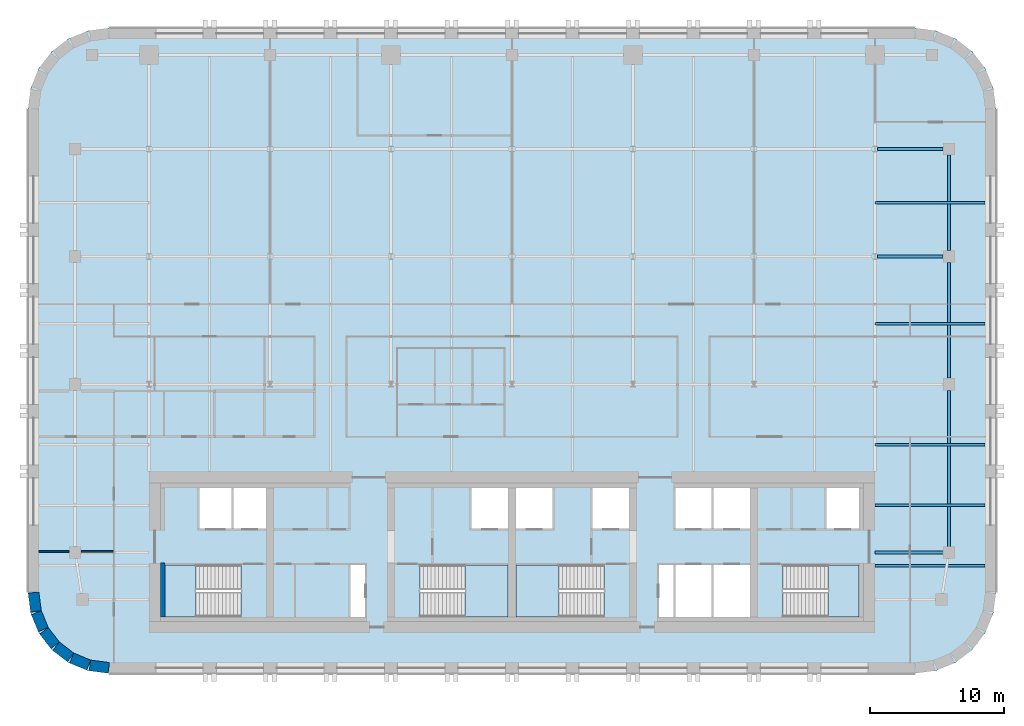
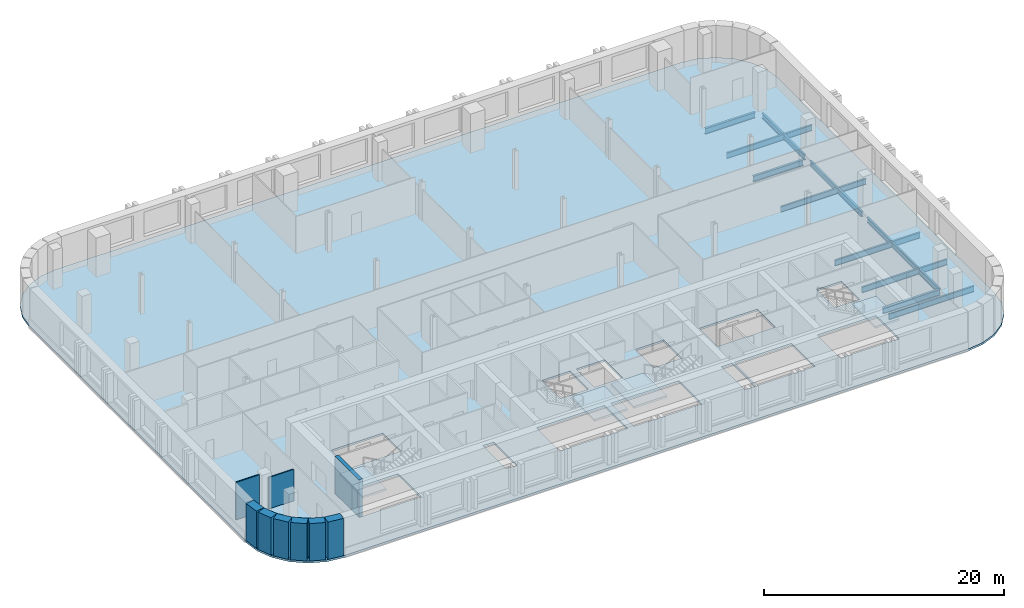
# One storey, part 2 of 10: 11 beams, 9 walls, 5 slabs, 4 elements without a shape of their own.
"""IFC4 building model written with IfcOpenShell, lengths in metres."""

from ifc_helpers import new_model, si_unit, direction, frame, frame_2d, origin, origin_2d, place, context, subcontext, project, spatial, polyline, rectangle, i_section, outline, extrude, material, layer, layer_set, material_profile, profile_set, type_object, element, aggregate, save


model = new_model("IFC4")

# Units and contexts
model_context = context("Model", 3, precision=1e-05, world=origin(), true_north=direction((0.0, 1.0)))
body_context = subcontext(model_context, "Body", "Model", "MODEL_VIEW")
ifc_project = project(units=[si_unit("LENGTHUNIT", "METRE"), si_unit("AREAUNIT", "SQUARE_METRE"), si_unit("VOLUMEUNIT", "CUBIC_METRE"), si_unit("PLANEANGLEUNIT", "RADIAN"), si_unit("MASSUNIT", "GRAM", prefix="KILO")], contexts=[model_context])

# Site, building, storey
site_placement = place(None, origin())
site = spatial("IfcSite", under=ifc_project, at=site_placement, CompositionType="ELEMENT")
building_placement = place(site_placement, origin())
building = spatial("IfcBuilding", under=site, at=building_placement, Name="Zellij Exchange Tower", CompositionType="ELEMENT")
storey_placement = place(building_placement, frame((0.0, 0.0, 192.5)))
storey = spatial("IfcBuildingStorey", under=building, at=storey_placement, Name="L44", CompositionType="ELEMENT", Elevation=192.5)

# Beams
ifc_material_1 = material(Name="Structural steel ASTM A992 Gr 50", Category="steel")
ifc_material_profile_1 = material_profile(ifc_material_1, i_section(OverallWidth=0.177978515625, OverallDepth=0.599365234375, WebThickness=0.010009765625, FlangeThickness=0.012939453125, at=origin_2d()), Name="W24x55")
ifc_profile_set_1 = profile_set([ifc_material_profile_1], Name="Structural steel ASTM A992 Gr 50")
beam_type_1 = type_object("IfcBeamType", Name="STR-BEAM W24x55", PredefinedType="BEAM", material=ifc_profile_set_1)
for number, where, z_axis, x_axis, name in (
    (1, (27.0, -9.0, -0.499755859375), (1.0, 0.0, 0.0), (0.0, 1.0, 0.0), "B4"),
    (2, (27.0, -4.5, -0.499755859375), (1.0, 0.0, 0.0), (0.0, 1.0, 0.0), "B4"),
    (3, (27.0, 0.0, -0.499755859375), (1.0, 0.0, 0.0), (0.0, 1.0, 0.0), "B4"),
    (4, (27.0, 9.0, -0.499755859375), (1.0, 0.0, 0.0), (0.0, 1.0, 0.0), "B4"),
    (5, (27.0, 18.0, -0.499755859375), (1.0, 0.0, 0.0), (0.0, 1.0, 0.0), "B4"),
):
    element("IfcBeam", number, at=place(storey_placement, frame(where, z_axis=z_axis, x_axis=x_axis)), inside=storey, type_object=beam_type_1, Name=name, PredefinedType="BEAM", context=body_context, shape_type="SweptSolid", body=[
        extrude(i_section(OverallWidth=0.177978515625, OverallDepth=0.599365234375, WebThickness=0.010009765625, FlangeThickness=0.012939453125, at=origin_2d()), origin(), (0.0, 0.0, 1.0), 8.199951171875),
    ])
ifc_material_profile_2 = material_profile(ifc_material_1, i_section(OverallWidth=0.209228515625, OverallDepth=0.533447265625, WebThickness=0.01025390625, FlangeThickness=0.015625, at=origin_2d()), Name="W21x62")
ifc_profile_set_2 = profile_set([ifc_material_profile_2], Name="Structural steel ASTM A992 Gr 50")
beam_type_2 = type_object("IfcBeamType", Name="STR-EDGE GIRDER W21x62", PredefinedType="BEAM", material=ifc_profile_set_2)
beam_1_placement = place(storey_placement, frame((32.5, -8.0, -0.466796875), z_axis=(0.0, 1.0, 0.0), x_axis=(-1.0, 0.0, 0.0)))
element("IfcBeam", 6, at=beam_1_placement, inside=storey, type_object=beam_type_2, Name="EB3", PredefinedType="BEAM", context=body_context, shape_type="SweptSolid", body=[
    extrude(i_section(OverallWidth=0.209228515625, OverallDepth=0.533447265625, WebThickness=0.01025390625, FlangeThickness=0.015625, at=origin_2d()), origin(), (0.0, 0.0, 1.0), 12.050048828125),
])
beam_2_placement = place(storey_placement, frame((32.5, 4.949951171875, -0.466796875), z_axis=(0.0, 1.0, 0.0), x_axis=(-1.0, 0.0, 0.0)))
element("IfcBeam", 7, at=beam_2_placement, inside=storey, type_object=beam_type_2, Name="EB3", PredefinedType="BEAM", context=body_context, shape_type="SweptSolid", body=[
    extrude(i_section(OverallWidth=0.209228515625, OverallDepth=0.533447265625, WebThickness=0.01025390625, FlangeThickness=0.015625, at=origin_2d()), origin(), (0.0, 0.0, 1.0), 8.60009765625),
])
beam_3_placement = place(storey_placement, frame((32.5, 14.449951171875, -0.466796875), z_axis=(0.0, 1.0, 0.0), x_axis=(-1.0, 0.0, 0.0)))
element("IfcBeam", 8, at=beam_3_placement, inside=storey, type_object=beam_type_2, Name="EB3", PredefinedType="BEAM", context=body_context, shape_type="SweptSolid", body=[
    extrude(i_section(OverallWidth=0.209228515625, OverallDepth=0.533447265625, WebThickness=0.01025390625, FlangeThickness=0.015625, at=origin_2d()), origin(), (0.0, 0.0, 1.0), 7.10009765625),
])
ifc_material_profile_3 = material_profile(ifc_material_1, i_section(OverallWidth=0.228271484375, OverallDepth=0.607177734375, WebThickness=0.01123046875, FlangeThickness=0.017333984375, at=origin_2d()), Name="W24x76")
ifc_profile_set_3 = profile_set([ifc_material_profile_3], Name="Structural steel ASTM A992 Gr 50")
beam_type_3 = type_object("IfcBeamType", Name="STR-GIRDER W24x76", PredefinedType="BEAM", material=ifc_profile_set_3)
beam_4_placement = place(storey_placement, frame((27.0, -8.0, -0.50341796875), z_axis=(1.0, 0.0, 0.0), x_axis=(0.0, 1.0, 0.0)))
element("IfcBeam", 9, at=beam_4_placement, inside=storey, type_object=beam_type_3, Name="G2", PredefinedType="BEAM", context=body_context, shape_type="SweptSolid", body=[
    extrude(i_section(OverallWidth=0.228271484375, OverallDepth=0.607177734375, WebThickness=0.01123046875, FlangeThickness=0.017333984375, at=origin_2d()), origin(), (0.0, 0.0, 1.0), 5.5),
])
for number, where, z_axis, x_axis, name in (
    (10, (27.20458984375, 14.0, -0.50341796875), (1.0, 0.0, 0.0), (0.0, 1.0, 0.0), "G2"),
    (11, (27.20458984375, 22.0, -0.50341796875), (1.0, 0.0, 0.0), (0.0, 1.0, 0.0), "G2"),
):
    element("IfcBeam", number, at=place(storey_placement, frame(where, z_axis=z_axis, x_axis=x_axis)), inside=storey, type_object=beam_type_3, Name=name, PredefinedType="BEAM", context=body_context, shape_type="SweptSolid", body=[
        extrude(i_section(OverallWidth=0.228271484375, OverallDepth=0.607177734375, WebThickness=0.01123046875, FlangeThickness=0.017333984375, at=origin_2d()), origin(), (0.0, 0.0, 1.0), 4.845458984375),
    ])

# Stair, slab
ifc_material_2 = material(Name="Concrete C40/50", Category="concrete")
stair_type = type_object("IfcStairType", Name="CORE-ST exit stair 1850 wide", PredefinedType="HALF_TURN_STAIR", material=ifc_material_2)
stair_1_placement = place(storey_placement, origin())
stair_1 = element("IfcStair", 12, at=stair_1_placement, inside=storey, type_object=stair_type, Name="L44 exit stair ST1", PredefinedType="HALF_TURN_STAIR")
ifc_layer_1 = layer(ifc_material_2, 0.199951171875)
ifc_layer_set_1 = layer_set([ifc_layer_1], Name="Concrete C40/50")
slab_type_1 = type_object("IfcSlabType", Name="CORE-SL stair landing 200", PredefinedType="LANDING", material=ifc_layer_set_1)
slab_1_placement = place(storey_placement, frame((0.0, 0.0, 1.800048828125)))
slab_1 = element("IfcSlab", 13, at=slab_1_placement, type_object=slab_type_1, Name="ST1 landing 1", PredefinedType="LANDING", context=body_context, shape_type="SweptSolid", body=[
    extrude(outline(polyline([(-23.510009765625, -8.949951171875), (-25.800048828125, -8.949951171875), (-25.800048828125, -12.800048828125), (-23.510009765625, -12.800048828125), (-23.510009765625, -8.949951171875)])), origin(), (0.0, 0.0, 1.0), 0.199951171875),
])
aggregate(stair_1, [slab_1])

stair_2_placement = place(storey_placement, origin())
stair_2 = element("IfcStair", 14, at=stair_2_placement, inside=storey, type_object=stair_type, Name="L44 exit stair ST2", PredefinedType="HALF_TURN_STAIR")
slab_2_placement = place(storey_placement, frame((0.0, 0.0, 1.800048828125)))
slab_2 = element("IfcSlab", 15, at=slab_2_placement, type_object=slab_type_1, Name="ST2 landing 1", PredefinedType="LANDING", context=body_context, shape_type="SweptSolid", body=[
    extrude(outline(polyline([(-3.489990234375, -12.800048828125), (-0.300048828125, -12.800048828125), (-0.300048828125, -8.949951171875), (-3.489990234375, -8.949951171875), (-3.489990234375, -12.800048828125)])), origin(), (0.0, 0.0, 1.0), 0.199951171875),
])
aggregate(stair_2, [slab_2])

stair_3_placement = place(storey_placement, origin())
stair_3 = element("IfcStair", 16, at=stair_3_placement, inside=storey, type_object=stair_type, Name="L44 exit stair ST3", PredefinedType="HALF_TURN_STAIR")
slab_3_placement = place(storey_placement, frame((0.0, 0.0, 1.800048828125)))
slab_3 = element("IfcSlab", 17, at=slab_3_placement, type_object=slab_type_1, Name="ST3 landing 1", PredefinedType="LANDING", context=body_context, shape_type="SweptSolid", body=[
    extrude(outline(polyline([(3.489990234375, -8.949951171875), (0.300048828125, -8.949951171875), (0.300048828125, -12.800048828125), (3.489990234375, -12.800048828125), (3.489990234375, -8.949951171875)])), origin(), (0.0, 0.0, 1.0), 0.199951171875),
])
aggregate(stair_3, [slab_3])

stair_4_placement = place(storey_placement, origin())
stair_4 = element("IfcStair", 18, at=stair_4_placement, inside=storey, type_object=stair_type, Name="L44 exit stair ST4", PredefinedType="HALF_TURN_STAIR")
slab_4_placement = place(storey_placement, frame((0.0, 0.0, 1.800048828125)))
slab_4 = element("IfcSlab", 19, at=slab_4_placement, type_object=slab_type_1, Name="ST4 landing 1", PredefinedType="LANDING", context=body_context, shape_type="SweptSolid", body=[
    extrude(outline(polyline([(23.510009765625, -12.800048828125), (25.800048828125, -12.800048828125), (25.800048828125, -8.949951171875), (23.510009765625, -8.949951171875), (23.510009765625, -12.800048828125)])), origin(), (0.0, 0.0, 1.0), 0.199951171875),
])
aggregate(stair_4, [slab_4])

# Slab
ifc_layer_2 = layer(ifc_material_2, 0.199951171875)
ifc_layer_set_2 = layer_set([ifc_layer_2], Name="Concrete C40/50")
slab_type_2 = type_object("IfcSlabType", Name="STR-FLOOR SLAB 200 C40/50", PredefinedType="FLOOR", material=ifc_layer_set_2)
slab_5_placement = place(storey_placement, frame((0.0, 0.0, -0.2001953125)))
element("IfcSlab", 20, at=slab_5_placement, inside=storey, type_object=slab_type_2, Name="Floor L44", PredefinedType="FLOOR", context=body_context, shape_type="SweptSolid", body=[
    extrude(outline(polyline([(-30.0, -17.0), (-31.552978515625, -16.795654296875), (-33.0, -16.1962890625), (-34.24267578125, -15.24267578125), (-35.1962890625, -14.0), (-35.795654296875, -12.552978515625), (-36.0, -11.0), (-36.0, 25.0), (-35.795654296875, 26.552978515625), (-35.1962890625, 28.0), (-34.24267578125, 29.24267578125), (-33.0, 30.1962890625), (-31.552978515625, 30.795654296875), (-30.0, 31.0), (30.0, 31.0), (31.552978515625, 30.795654296875), (33.0, 30.1962890625), (34.24267578125, 29.24267578125), (35.1962890625, 28.0), (35.795654296875, 26.552978515625), (36.0, 25.0), (36.0, -11.0), (35.795654296875, -12.552978515625), (35.1962890625, -14.0), (34.24267578125, -15.24267578125), (33.0, -16.1962890625), (31.552978515625, -16.795654296875), (30.0, -17.0), (-30.0, -17.0)]), holes=[polyline([(-25.800048828125, -8.949951171875), (-25.800048828125, -12.800048828125), (-20.153076171875, -12.800048828125), (-20.153076171875, -8.949951171875), (-25.800048828125, -8.949951171875)]), polyline([(-10.949951171875, -8.949951171875), (-12.0, -8.949951171875), (-12.0, -12.800048828125), (-10.949951171875, -12.800048828125), (-10.949951171875, -8.949951171875)]), polyline([(-0.300048828125, -8.949951171875), (-6.846923828125, -8.949951171875), (-6.846923828125, -12.800048828125), (-0.300048828125, -12.800048828125), (-0.300048828125, -8.949951171875)]), polyline([(0.300048828125, -8.949951171875), (0.300048828125, -12.800048828125), (6.846923828125, -12.800048828125), (6.846923828125, -8.949951171875), (0.300048828125, -8.949951171875)]), polyline([(-18.300048828125, -3.199951171875), (-23.25, -3.199951171875), (-23.25, -6.22509765625), (-18.300048828125, -6.22509765625), (-18.300048828125, -3.199951171875)]), polyline([(-0.300048828125, -3.199951171875), (-3.0, -3.199951171875), (-3.0, -6.22509765625), (-0.300048828125, -6.22509765625), (-0.300048828125, -3.199951171875)]), polyline([(0.300048828125, -3.199951171875), (0.300048828125, -6.22509765625), (3.0, -6.22509765625), (3.0, -3.199951171875), (0.300048828125, -3.199951171875)]), polyline([(12.0, -8.949951171875), (10.949951171875, -8.949951171875), (10.949951171875, -12.800048828125), (12.0, -12.800048828125), (12.0, -8.949951171875)]), polyline([(17.699951171875, -8.949951171875), (12.14990234375, -8.949951171875), (12.14990234375, -12.800048828125), (17.699951171875, -12.800048828125), (17.699951171875, -8.949951171875)]), polyline([(25.800048828125, -8.949951171875), (20.153076171875, -8.949951171875), (20.153076171875, -12.800048828125), (25.800048828125, -12.800048828125), (25.800048828125, -8.949951171875)]), polyline([(8.699951171875, -3.199951171875), (6.0, -3.199951171875), (6.0, -6.22509765625), (8.699951171875, -6.22509765625), (8.699951171875, -3.199951171875)]), polyline([(17.699951171875, -3.199951171875), (12.14990234375, -3.199951171875), (12.14990234375, -6.22509765625), (17.699951171875, -6.22509765625), (17.699951171875, -3.199951171875)]), polyline([(25.800048828125, -3.199951171875), (23.39990234375, -3.199951171875), (23.39990234375, -6.22509765625), (25.800048828125, -6.22509765625), (25.800048828125, -3.199951171875)])]), origin(), (0.0, 0.0, 1.0), 0.2001953125),
])

# Walls
ifc_material_3 = material(Name="Concrete C30/37", Category="concrete")
ifc_layer_3 = layer(ifc_material_3, 0.35009765625)
ifc_layer_set_3 = layer_set([ifc_layer_3], Name="Concrete C30/37")
wall_type_1 = type_object("IfcWallType", Name="CORE-LW 350 C30/37", PredefinedType="SHEAR", material=ifc_layer_set_3)
wall_1_placement = place(storey_placement, frame((-25.97509765625, -12.800048828125, 0.0), z_axis=(0.0, 0.0, 1.0), x_axis=(0.0, 1.0, 0.0)))
element("IfcWall", 21, at=wall_1_placement, inside=storey, type_object=wall_type_1, Name="Core wall lining end w.0 L44", PredefinedType="SHEAR", context=body_context, shape_type="SweptSolid", body=[
    extrude(rectangle(XDim=4.0, YDim=0.35009765625, at=frame_2d((2.0, 0.0))), origin(), (0.0, 0.0, 1.0), 3.800048828125),
])
ifc_material_4 = material(Name="Precast concrete C40/50", Category="concrete")
ifc_layer_4 = layer(ifc_material_4, 0.800048828125)
ifc_layer_set_4 = layer_set([ifc_layer_4], Name="Precast concrete C40/50")
wall_type_2 = type_object("IfcWallType", Name="ENV-EW1 Precast stone-piered wall 800", PredefinedType="SOLIDWALL", material=ifc_layer_set_4)
wall_2_placement = place(storey_placement, frame((-35.5966796875, -10.999755859375, 0.0), z_axis=(0.0, 0.0, 1.0), x_axis=(0.130517283865, -0.99144603414, 0.0)))
element("IfcWall", 22, at=wall_2_placement, inside=storey, type_object=wall_type_2, Name="fac.L44.22", PredefinedType="SOLIDWALL", context=body_context, shape_type="SweptSolid", body=[
    extrude(rectangle(XDim=1.408447265625, YDim=0.800048828125, at=frame_2d((0.7041015625, 0.0))), origin(), (0.0, 0.0, 1.0), 3.800048828125),
])
wall_3_placement = place(storey_placement, frame((-35.3857421875, -12.497314453125, 0.0), z_axis=(0.0, 0.0, 1.0), x_axis=(0.38276009378, -0.923847774587, 0.0)))
element("IfcWall", 23, at=wall_3_placement, inside=storey, type_object=wall_type_2, Name="fac.L44.23", PredefinedType="SOLIDWALL", context=body_context, shape_type="SweptSolid", body=[
    extrude(rectangle(XDim=1.35546875, YDim=0.800048828125, at=frame_2d((0.677734375, 0.0))), origin(), (0.0, 0.0, 1.0), 3.800048828125),
])
for number, where, z_axis, x_axis, name in (
    (24, (-34.814697265625, -13.840087890625, 0.0), (0.0, 0.0, 1.0), (0.608866226366, -0.793272915452, 0.0), "fac.L44.24"),
    (25, (-33.91552734375, -14.9892578125, 0.0), (0.0, 0.0, 1.0), (0.793272915452, -0.608866226366, 0.0), "fac.L44.25"),
):
    element("IfcWall", number, at=place(storey_placement, frame(where, z_axis=z_axis, x_axis=x_axis)), inside=storey, type_object=wall_type_2, Name=name, PredefinedType="SOLIDWALL", context=body_context, shape_type="SweptSolid", body=[
        extrude(rectangle(XDim=1.355712890625, YDim=0.800048828125, at=frame_2d((0.677734375, 0.0))), origin(), (0.0, 0.0, 1.0), 3.800048828125),
    ])
wall_4_placement = place(storey_placement, frame((-32.74951171875, -15.866943359375, 0.0), z_axis=(0.0, 0.0, 1.0), x_axis=(0.923847774587, -0.38276009378, 0.0)))
element("IfcWall", 26, at=wall_4_placement, inside=storey, type_object=wall_type_2, Name="fac.L44.26", PredefinedType="SOLIDWALL", context=body_context, shape_type="SweptSolid", body=[
    extrude(rectangle(XDim=1.35546875, YDim=0.800048828125, at=frame_2d((0.677734375, 0.0))), origin(), (0.0, 0.0, 1.0), 3.800048828125),
])
wall_5_placement = place(storey_placement, frame((-31.396240234375, -16.412841796875, 0.0), z_axis=(0.0, 0.0, 1.0), x_axis=(0.99144603414, -0.130517283865, 0.0)))
element("IfcWall", 27, at=wall_5_placement, inside=storey, type_object=wall_type_2, Name="fac.L44.27", PredefinedType="SOLIDWALL", context=body_context, shape_type="SweptSolid", body=[
    extrude(rectangle(XDim=1.408447265625, YDim=0.800048828125, at=frame_2d((0.7041015625, 0.0))), origin(), (0.0, 0.0, 1.0), 3.800048828125),
])
ifc_material_5 = material(Name="Gypsum board partition on steel studs", Category="steel")
ifc_layer_5 = layer(ifc_material_5, 0.10009765625)
ifc_layer_set_5 = layer_set([ifc_layer_5], Name="Gypsum board partition on steel studs")
wall_type_3 = type_object("IfcWallType", Name="FIT-PARTITION-100", PredefinedType="PARTITIONING", material=ifc_layer_set_5)
wall_6_placement = place(storey_placement, frame((-35.199951171875, -7.949951171875, 0.0), z_axis=(0.0, 0.0, 1.0), x_axis=(1.0, 0.0, 0.0)))
element("IfcWall", 28, at=wall_6_placement, inside=storey, type_object=wall_type_3, Name="FIT-PARTITION-100 003", PredefinedType="PARTITIONING", context=body_context, shape_type="SweptSolid", body=[
    extrude(rectangle(XDim=2.25, YDim=0.10009765625, at=frame_2d((1.125, 0.0))), origin(), (0.0, 0.0, 1.0), 3.800048828125),
])
wall_7_placement = place(storey_placement, frame((-32.050048828125, -7.949951171875, 0.0), z_axis=(0.0, 0.0, 1.0), x_axis=(1.0, 0.0, 0.0)))
element("IfcWall", 29, at=wall_7_placement, inside=storey, type_object=wall_type_3, Name="FIT-PARTITION-100 004", PredefinedType="PARTITIONING", context=body_context, shape_type="SweptSolid", body=[
    extrude(rectangle(XDim=2.400146484375, YDim=0.10009765625, at=frame_2d((1.2001953125, 0.0))), origin(), (0.0, 0.0, 1.0), 3.19287109375),
])

save(model, "model.ifc")
